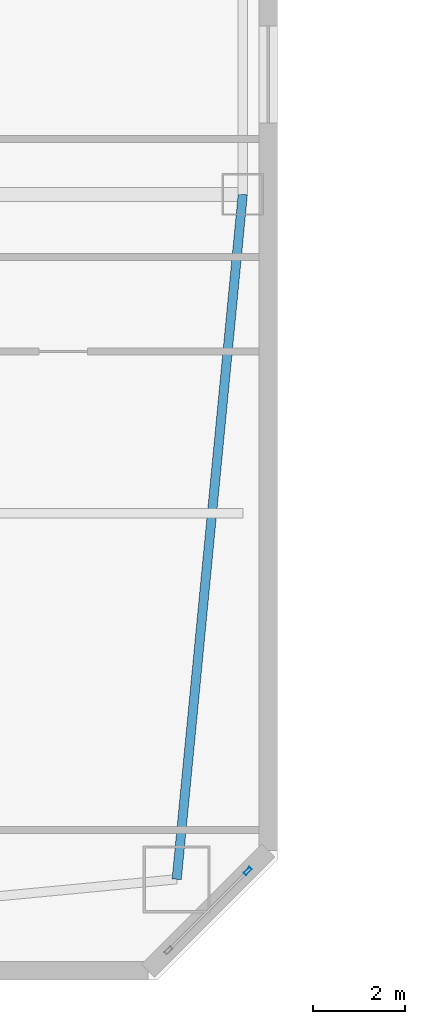
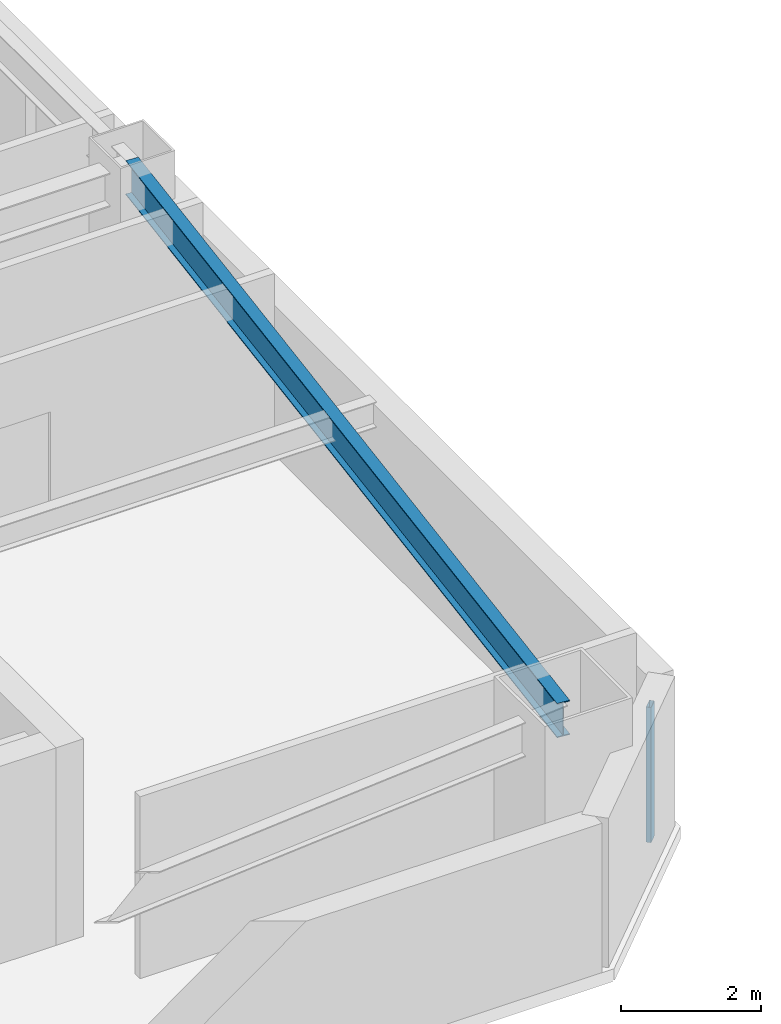
# One storey, part 6 of 25: 1 beam, 1 member, 1 element without a shape of its own.
"""IFC4 building model written with IfcOpenShell, lengths in metres."""

from ifc_helpers import new_model, si_unit, direction, frame, origin, origin_2d, place, context, subcontext, project, spatial, hollow_rectangle, i_section, extrude, material, layer, layer_set, material_profile, profile_set, type_object, element, aggregate, save


model = new_model("IFC4")

# Units and contexts
model_context = context("Model", 3, precision=1e-05, world=origin(), true_north=direction((0.0, 1.0)))
body_context = subcontext(model_context, "Body", "Model", "MODEL_VIEW")
ifc_project = project(units=[si_unit("LENGTHUNIT", "METRE"), si_unit("AREAUNIT", "SQUARE_METRE"), si_unit("VOLUMEUNIT", "CUBIC_METRE"), si_unit("PLANEANGLEUNIT", "RADIAN"), si_unit("MASSUNIT", "GRAM", prefix="KILO")], contexts=[model_context])

# Site, building, storey
site_placement = place(None, origin())
site = spatial("IfcSite", under=ifc_project, at=site_placement, CompositionType="ELEMENT")
building_placement = place(site_placement, origin())
building = spatial("IfcBuilding", under=site, at=building_placement, Name="Qiaolan Cultural Towers", CompositionType="ELEMENT")
storey_placement = place(building_placement, frame((0.0, 0.0, 202.39990234375)))
storey = spatial("IfcBuildingStorey", under=building, at=storey_placement, Name="L54", CompositionType="ELEMENT", Elevation=202.39990234375)

# Beam
ifc_material_1 = material(Name="Steel Q355B", Category="steel")
ifc_material_profile_1 = material_profile(ifc_material_1, i_section(OverallWidth=0.199951171875, OverallDepth=0.60009765625, WebThickness=0.010986328125, FlangeThickness=0.01708984375, at=origin_2d()), Name="HN600x200x11x17")
ifc_profile_set_1 = profile_set([ifc_material_profile_1], Name="Steel Q355B")
beam_type = type_object("IfcBeamType", Name="BM-SPD-HN600x200x11x17", PredefinedType="SPANDREL", material=ifc_profile_set_1)
beam_placement = place(storey_placement, frame((45.02001953125, 10.179931640625, 2.89013671875), z_axis=(0.096040159186, 0.995377459974, 0.0), x_axis=(-0.995377459974, 0.096040159186, 0.0)))
element("IfcBeam", 1, at=beam_placement, inside=storey, type_object=beam_type, Name="L54 T1 Perimeter Spandrel Beam 3", PredefinedType="SPANDREL", context=body_context, shape_type="SweptSolid", body=[
    extrude(i_section(OverallWidth=0.199951171875, OverallDepth=0.60009765625, WebThickness=0.010986328125, FlangeThickness=0.01708984375, at=origin_2d()), origin(), (0.0, 0.0, 1.0), 14.888916015625),
])

# Curtain wall, member
ifc_material_2 = material(Name="Unitized Anodized Aluminium Curtain Wall System", Category="aluminium")
ifc_layer = layer(ifc_material_2, 0.199951171875)
ifc_layer_set = layer_set([ifc_layer], Name="Unitized Anodized Aluminium Curtain Wall System")
curtain_wall_type = type_object("IfcCurtainWallType", Name="CWS-05", PredefinedType="NOTDEFINED", material=ifc_layer_set)
curtain_wall_placement = place(storey_placement, origin())
curtain_wall = element("IfcCurtainWall", 2, at=curtain_wall_placement, inside=storey, type_object=curtain_wall_type, Name="L54 T1 Chamfer Wind-Corner Feature Curtain Wall 2", PredefinedType="NOTDEFINED")
ifc_material_3 = material(Name="Extruded Aluminium 6063-T6", Category="aluminium")
ifc_material_profile_2 = material_profile(ifc_material_3, hollow_rectangle(XDim=0.074951171875, YDim=0.179931640625, WallThickness=0.00390625, at=origin_2d()), Name="CWM-180x75x4")
ifc_profile_set_2 = profile_set([ifc_material_profile_2], Name="Extruded Aluminium 6063-T6")
member_type = type_object("IfcMemberType", Name="CWS-05-MUL", PredefinedType="MULLION", material=ifc_profile_set_2)
member_placement = place(storey_placement, frame((46.557373046875, 10.357421875, 0.150146484375), z_axis=(0.0, 0.0, 1.0), x_axis=(0.707106781187, -0.707106781187, 0.0)))
member = element("IfcMember", 3, at=member_placement, type_object=member_type, Name="CW-5 mullion 1", PredefinedType="MULLION", context=body_context, shape_type="SweptSolid", body=[
    extrude(hollow_rectangle(XDim=0.074951171875, YDim=0.179931640625, WallThickness=0.00390625, at=origin_2d()), origin(), (0.0, 0.0, 1.0), 2.35986328125),
])
aggregate(curtain_wall, [member])

save(model, "model.ifc")
